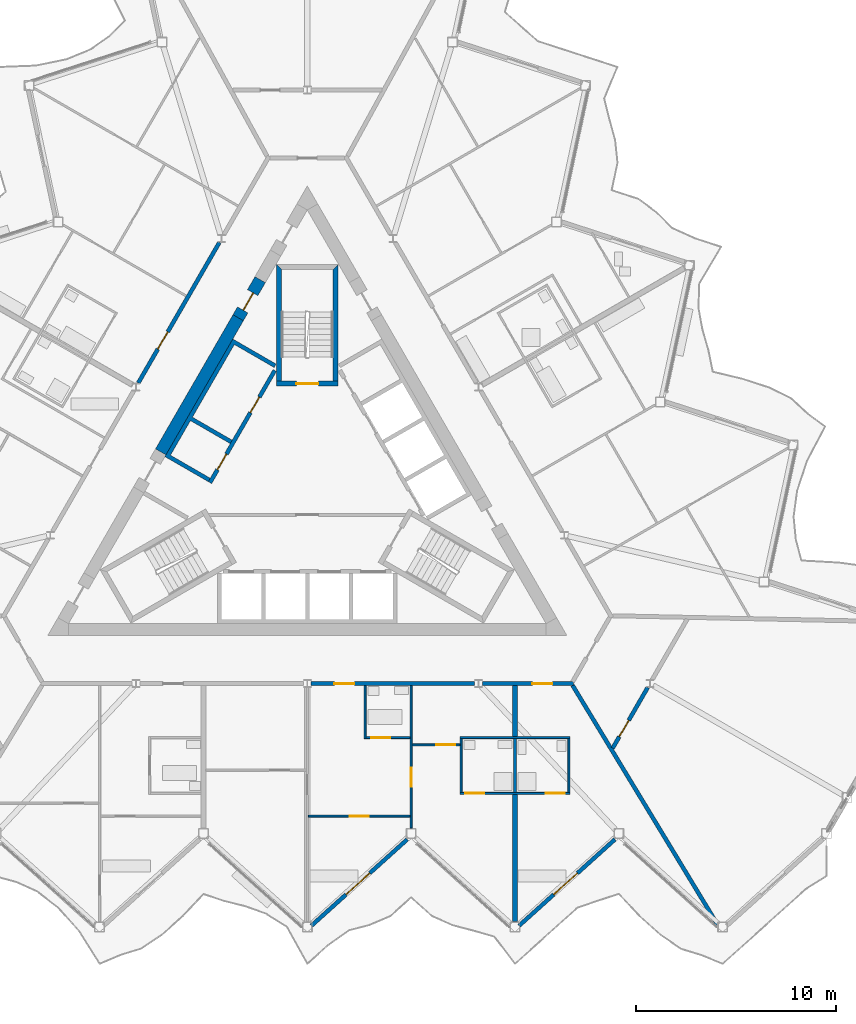
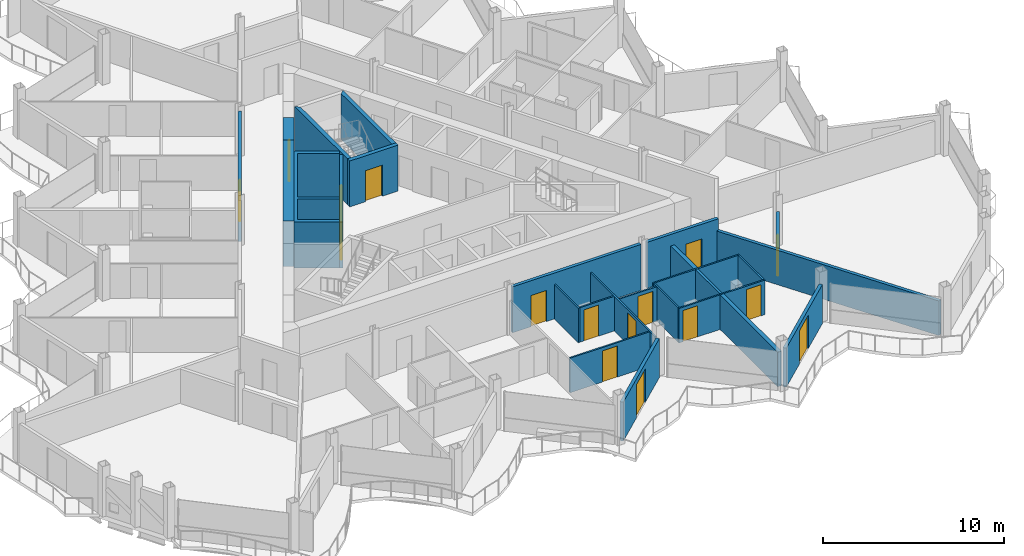
# One storey, part 14 of 25: 26 walls, 16 doors, 16 openings.
"""IFC4 building model written with IfcOpenShell, lengths in metres."""

from ifc_helpers import new_model, si_unit, direction, frame, frame_2d, origin, place, context, subcontext, project, spatial, polyline, rectangle, outline, extrude, material, layer, layer_set, type_object, element, fill, save


model = new_model("IFC4")

# Units and contexts
model_context = context("Model", 3, precision=1e-05, world=origin(), true_north=direction((0.0, 1.0)))
body_context = subcontext(model_context, "Body", "Model", "MODEL_VIEW")
ifc_project = project(units=[si_unit("LENGTHUNIT", "METRE"), si_unit("AREAUNIT", "SQUARE_METRE"), si_unit("VOLUMEUNIT", "CUBIC_METRE"), si_unit("PLANEANGLEUNIT", "RADIAN"), si_unit("MASSUNIT", "GRAM", prefix="KILO")], contexts=[model_context])

# Site, building, storey
site_placement = place(None, origin())
site = spatial("IfcSite", under=ifc_project, at=site_placement, CompositionType="ELEMENT")
building_placement = place(site_placement, origin())
building = spatial("IfcBuilding", under=site, at=building_placement, Name="Cormorant Prow Tower", CompositionType="ELEMENT")
storey_placement = place(building_placement, frame((0.0, 0.0, 395.0)))
storey = spatial("IfcBuildingStorey", under=building, at=storey_placement, Name="L90", CompositionType="ELEMENT", Elevation=395.0)

# Wall
ifc_material_1 = material(Name="Concrete 8000 psi", Category="concrete")
ifc_layer_1 = layer(ifc_material_1, 0.60009765625)
ifc_layer_set_1 = layer_set([ifc_layer_1], Name="Concrete 8000 psi")
wall_type_1 = type_object("IfcWallType", Name="Core shear wall 600", PredefinedType="SHEAR", material=ifc_layer_set_1)
wall_1_placement = place(storey_placement, frame((-3.460693359375, 8.416748046875, 0.0), z_axis=(0.0, 0.0, 1.0), x_axis=(-0.50000391502, -0.866023143435, 0.0)))
element("IfcWall", 1, at=wall_1_placement, inside=storey, type_object=wall_type_1, Name="Core wall", PredefinedType="SHEAR", context=body_context, shape_type="SweptSolid", body=[
    extrude(rectangle(XDim=7.7587890625, YDim=0.60009765625, at=frame_2d((3.87939453125, 0.0))), origin(), (0.0, 0.0, 1.0), 3.10009765625),
])

# Wall, opening, door
wall_2_placement = place(storey_placement, frame((-2.36083984375, 10.322021484375, 0.0), z_axis=(0.0, 0.0, 1.0), x_axis=(-0.499946605688, -0.86605622881, 0.0)))
wall_2 = element("IfcWall", 2, at=wall_2_placement, inside=storey, type_object=wall_type_1, Name="Core wall door panel", PredefinedType="SHEAR", context=body_context, shape_type="SweptSolid", body=[
    extrude(rectangle(XDim=2.199951171875, YDim=0.60009765625, at=frame_2d((1.10009765625, 0.0))), origin(), (0.0, 0.0, 1.0), 3.10009765625),
])
opening_1_placement = place(wall_2_placement, frame((0.75, 0.0, 0.0)))
opening_1 = element("IfcOpeningElement", 3, at=opening_1_placement, cuts=wall_2, Name="Opening L90-C18", PredefinedType="OPENING", context=body_context, shape_type="SweptSolid", body=[
    extrude(rectangle(XDim=1.0, YDim=2.10009765625, at=frame_2d((0.5, 1.050048828125))), frame((0.0, 0.31005859375, 0.0), z_axis=(0.0, -1.0, 0.0), x_axis=(1.0, 0.0, 0.0)), (0.0, 0.0, 1.0), 0.6201171875),
])
ifc_material_2 = material(Name="Painted steel", Category="steel")
door_type_1 = type_object("IfcDoorType", Name="Service door 1000x2100", OperationType="NOTDEFINED", PredefinedType="DOOR", material=ifc_material_2)
door_1_placement = place(opening_1_placement, origin())
door_1 = element("IfcDoor", 4, at=door_1_placement, inside=storey, type_object=door_type_1, Name="Core door, Mechanical riser room", OperationType="SINGLE_SWING_LEFT", OverallHeight=2.10009765625, OverallWidth=1.0, PredefinedType="DOOR", context=body_context, shape_type="SweptSolid", body=[
    extrude(rectangle(XDim=1.0, YDim=2.10009765625, at=frame_2d((0.5, 1.050048828125))), frame((0.0, 0.05517578125, 0.0), z_axis=(0.0, -1.0, 0.0), x_axis=(1.0, 0.0, 0.0)), (0.0, 0.0, 1.0), 0.050048828125),
])
fill(opening_1, door_1)

ifc_material_3 = material(Name="Gypsum board corridor wall")
ifc_layer_2 = layer(ifc_material_3, 0.199951171875)
ifc_layer_set_2 = layer_set([ifc_layer_2], Name="Gypsum board corridor wall")
wall_type_2 = type_object("IfcWallType", Name="Corridor wall 200", PredefinedType="PARTITIONING", material=ifc_layer_set_2)
wall_3_placement = place(storey_placement, frame((0.197021484375, -9.905517578125, 0.0), z_axis=(0.0, 0.0, 1.0), x_axis=(1.0, 0.0, 0.0)))
wall_3 = element("IfcWall", 5, at=wall_3_placement, inside=storey, type_object=wall_type_2, Name="Corridor wall", PredefinedType="PARTITIONING", context=body_context, shape_type="SweptSolid", body=[
    extrude(rectangle(XDim=8.1845703125, YDim=0.199951171875, at=frame_2d((4.09228515625, 0.0))), origin(), (0.0, 0.0, 1.0), 3.10009765625),
])
opening_2_placement = place(wall_3_placement, frame((1.16162109375, 0.0, 0.0)))
opening_2 = element("IfcOpeningElement", 6, at=opening_2_placement, cuts=wall_3, Name="Opening L90-F06", PredefinedType="OPENING", context=body_context, shape_type="SweptSolid", body=[
    extrude(rectangle(XDim=1.0, YDim=2.10009765625, at=frame_2d((0.5, 1.050048828125))), frame((0.0, 0.10986328125, 0.0), z_axis=(0.0, -1.0, 0.0), x_axis=(1.0, 0.0, 0.0)), (0.0, 0.0, 1.0), 0.219970703125),
])
ifc_material_4 = material(Name="Timber door leaf", Category="wood")
door_type_2 = type_object("IfcDoorType", Name="Flat or room entrance door 1000x2100", OperationType="NOTDEFINED", PredefinedType="DOOR", material=ifc_material_4)
door_2_placement = place(opening_2_placement, origin())
door_2 = element("IfcDoor", 7, at=door_2_placement, inside=storey, type_object=door_type_2, Name="Living room door", OperationType="SINGLE_SWING_RIGHT", OverallHeight=2.10009765625, OverallWidth=1.0, PredefinedType="DOOR", context=body_context, shape_type="SweptSolid", body=[
    extrude(rectangle(XDim=1.0, YDim=2.10009765625, at=frame_2d((0.5, 1.050048828125))), frame((0.0, 0.02490234375, 0.0), z_axis=(0.0, -1.0, 0.0), x_axis=(1.0, 0.0, 0.0)), (0.0, 0.0, 1.0), 0.050048828125),
])
fill(opening_2, door_2)

wall_4_placement = place(storey_placement, frame((-8.464599609375, 5.14990234375, 0.0), z_axis=(0.0, 0.0, 1.0), x_axis=(0.499992155518, 0.866029932751, 0.0)))
wall_4 = element("IfcWall", 8, at=wall_4_placement, inside=storey, type_object=wall_type_2, Name="Corridor wall", PredefinedType="PARTITIONING", context=body_context, shape_type="SweptSolid", body=[
    extrude(rectangle(XDim=8.123291015625, YDim=0.199951171875, at=frame_2d((4.0615234375, 0.0))), origin(), (0.0, 0.0, 1.0), 3.10009765625),
])
opening_3_placement = place(wall_4_placement, frame((1.9560546875, 0.0, 0.0)))
opening_3 = element("IfcOpeningElement", 9, at=opening_3_placement, cuts=wall_4, Name="Opening L90-F35", PredefinedType="OPENING", context=body_context, shape_type="SweptSolid", body=[
    extrude(rectangle(XDim=1.0, YDim=2.10009765625, at=frame_2d((0.5, 1.050048828125))), frame((0.0, 0.10986328125, 0.0), z_axis=(0.0, -1.0, 0.0), x_axis=(1.0, 0.0, 0.0)), (0.0, 0.0, 1.0), 0.219970703125),
])
door_3_placement = place(opening_3_placement, origin())
door_3 = element("IfcDoor", 10, at=door_3_placement, inside=storey, type_object=door_type_2, Name="Living room door", OperationType="SINGLE_SWING_RIGHT", OverallHeight=2.10009765625, OverallWidth=1.0, PredefinedType="DOOR", context=body_context, shape_type="SweptSolid", body=[
    extrude(rectangle(XDim=1.0, YDim=2.10009765625, at=frame_2d((0.5, 1.050048828125))), frame((0.0, 0.02490234375, 0.0), z_axis=(0.0, -1.0, 0.0), x_axis=(1.0, 0.0, 0.0)), (0.0, 0.0, 1.0), 0.050048828125),
])
fill(opening_3, door_3)

wall_5_placement = place(storey_placement, frame((8.775390625, -9.905517578125, 0.0), z_axis=(0.0, 0.0, 1.0), x_axis=(1.0, 0.0, 0.0)))
wall_5 = element("IfcWall", 11, at=wall_5_placement, inside=storey, type_object=wall_type_2, Name="Corridor wall", PredefinedType="PARTITIONING", context=body_context, shape_type="SweptSolid", body=[
    extrude(rectangle(XDim=4.555419921875, YDim=0.199951171875, at=frame_2d((2.27783203125, 0.0))), origin(), (0.0, 0.0, 1.0), 3.10009765625),
])
opening_4_placement = place(wall_5_placement, frame((2.49072265625, 0.0, 0.0)))
opening_4 = element("IfcOpeningElement", 12, at=opening_4_placement, cuts=wall_5, Name="Opening L90-F14", PredefinedType="OPENING", context=body_context, shape_type="SweptSolid", body=[
    extrude(rectangle(XDim=1.0, YDim=2.10009765625, at=frame_2d((0.5, 1.050048828125))), frame((0.0, 0.10986328125, 0.0), z_axis=(0.0, -1.0, 0.0), x_axis=(1.0, 0.0, 0.0)), (0.0, 0.0, 1.0), 0.219970703125),
])
door_4_placement = place(opening_4_placement, origin())
door_4 = element("IfcDoor", 13, at=door_4_placement, inside=storey, type_object=door_type_2, Name="Studio living, kitchen and sleeping room door", OperationType="SINGLE_SWING_LEFT", OverallHeight=2.10009765625, OverallWidth=1.0, PredefinedType="DOOR", context=body_context, shape_type="SweptSolid", body=[
    extrude(rectangle(XDim=1.0, YDim=2.10009765625, at=frame_2d((0.5, 1.050048828125))), frame((0.0, 0.02490234375, 0.0), z_axis=(0.0, -1.0, 0.0), x_axis=(1.0, 0.0, 0.0)), (0.0, 0.0, 1.0), 0.050048828125),
])
fill(opening_4, door_4)

# Wall
ifc_material_5 = material(Name="Gypsum board demising wall")
ifc_layer_3 = layer(ifc_material_5, 0.199951171875)
ifc_layer_set_3 = layer_set([ifc_layer_3], Name="Gypsum board demising wall")
wall_type_3 = type_object("IfcWallType", Name="Demising wall 200", PredefinedType="PARTITIONING", material=ifc_layer_set_3)
wall_6_placement = place(storey_placement, frame((13.28271484375, -9.9912109375, 0.0), z_axis=(0.0, 0.0, 1.0), x_axis=(0.518239121386, -0.855235764608, 0.0)))
element("IfcWall", 14, at=wall_6_placement, inside=storey, type_object=wall_type_3, Name="Demising wall", PredefinedType="PARTITIONING", context=body_context, shape_type="SweptSolid", body=[
    extrude(rectangle(XDim=14.00390625, YDim=0.199951171875, at=frame_2d((7.001953125, 0.0))), origin(), (0.0, 0.0, 1.0), 2.330078125),
])

# Wall, opening, door
wall_7_placement = place(storey_placement, frame((15.291259765625, -13.136962890625, 0.0), z_axis=(0.0, 0.0, 1.0), x_axis=(0.500005931509, 0.866021979199, 0.0)))
wall_7 = element("IfcWall", 15, at=wall_7_placement, inside=storey, type_object=wall_type_3, Name="Demising wall", PredefinedType="PARTITIONING", context=body_context, shape_type="SweptSolid", body=[
    extrude(rectangle(XDim=3.50390625, YDim=0.199951171875, at=frame_2d((1.751953125, 0.0))), origin(), (0.0, 0.0, 1.0), 2.330078125),
])
opening_5_placement = place(wall_7_placement, frame((0.66064453125, 0.0, 0.0)))
opening_5 = element("IfcOpeningElement", 16, at=opening_5_placement, cuts=wall_7, Name="Opening L90-F17", PredefinedType="OPENING", context=body_context, shape_type="SweptSolid", body=[
    extrude(rectangle(XDim=0.949951171875, YDim=2.10009765625, at=frame_2d((0.47509765625, 1.050048828125))), frame((0.0, 0.10986328125, 0.0), z_axis=(0.0, -1.0, 0.0), x_axis=(1.0, 0.0, 0.0)), (0.0, 0.0, 1.0), 0.219970703125),
])
ifc_material_6 = material(Name="Timber door leaf", Category="wood")
door_type_3 = type_object("IfcDoorType", Name="Store door 950x2100", OperationType="NOTDEFINED", PredefinedType="DOOR", material=ifc_material_6)
door_5_placement = place(opening_5_placement, origin())
door_5 = element("IfcDoor", 17, at=door_5_placement, inside=storey, type_object=door_type_3, Name="Bicycle store door", OperationType="SINGLE_SWING_LEFT", OverallHeight=2.10009765625, OverallWidth=0.949951171875, PredefinedType="DOOR", context=body_context, shape_type="SweptSolid", body=[
    extrude(rectangle(XDim=0.949951171875, YDim=2.10009765625, at=frame_2d((0.47509765625, 1.050048828125))), frame((0.0, 0.02490234375, 0.0), z_axis=(0.0, -1.0, 0.0), x_axis=(1.0, 0.0, 0.0)), (0.0, 0.0, 1.0), 0.050048828125),
])
fill(opening_5, door_5)

ifc_material_7 = material(Name="Gypsum board partition")
ifc_layer_4 = layer(ifc_material_7, 0.10009765625)
ifc_layer_set_4 = layer_set([ifc_layer_4], Name="Gypsum board partition")
wall_type_4 = type_object("IfcWallType", Name="Internal partition 100", PredefinedType="PARTITIONING", material=ifc_layer_set_4)
wall_8_placement = place(storey_placement, frame((5.199951171875, -17.145751953125, 0.0), z_axis=(0.0, 0.0, 1.0), x_axis=(0.0, 1.0, 0.0)))
wall_8 = element("IfcWall", 18, at=wall_8_placement, inside=storey, type_object=wall_type_4, Name="Internal partition", PredefinedType="PARTITIONING", context=body_context, shape_type="SweptSolid", body=[
    extrude(rectangle(XDim=7.14013671875, YDim=0.10009765625, at=frame_2d((3.570068359375, 0.0))), origin(), (0.0, 0.0, 1.0), 2.330078125),
])
opening_6_placement = place(wall_8_placement, frame((2.0791015625, 0.0, 0.0)))
opening_6 = element("IfcOpeningElement", 19, at=opening_6_placement, cuts=wall_8, Name="Opening L90-F11", PredefinedType="OPENING", context=body_context, shape_type="SweptSolid", body=[
    extrude(rectangle(XDim=0.949951171875, YDim=2.10009765625, at=frame_2d((0.47509765625, 1.050048828125))), frame((0.0, 0.06005859375, 0.0), z_axis=(0.0, -1.0, 0.0), x_axis=(1.0, 0.0, 0.0)), (0.0, 0.0, 1.0), 0.1201171875),
])
ifc_material_8 = material(Name="Timber door leaf", Category="wood")
door_type_4 = type_object("IfcDoorType", Name="Bathroom door 950x2100", OperationType="NOTDEFINED", PredefinedType="DOOR", material=ifc_material_8)
door_6_placement = place(opening_6_placement, origin())
door_6 = element("IfcDoor", 20, at=door_6_placement, inside=storey, type_object=door_type_4, Name="Living room door", OperationType="SINGLE_SWING_RIGHT", OverallHeight=2.10009765625, OverallWidth=0.949951171875, PredefinedType="DOOR", context=body_context, shape_type="SweptSolid", body=[
    extrude(rectangle(XDim=0.949951171875, YDim=2.10009765625, at=frame_2d((0.47509765625, 1.050048828125))), frame((0.0, 0.02490234375, 0.0), z_axis=(0.0, -1.0, 0.0), x_axis=(1.0, 0.0, 0.0)), (0.0, 0.0, 1.0), 0.050048828125),
])
fill(opening_6, door_6)

# Wall
wall_9_placement = place(storey_placement, frame((7.64990234375, -12.605712890625, 0.0), z_axis=(0.0, 0.0, 1.0), x_axis=(1.0, 0.0, 0.0)))
element("IfcWall", 21, at=wall_9_placement, inside=storey, type_object=wall_type_4, Name="Internal partition", PredefinedType="PARTITIONING", context=body_context, shape_type="SweptSolid", body=[
    extrude(rectangle(XDim=5.5, YDim=0.10009765625, at=frame_2d((2.75, 0.0))), origin(), (0.0, 0.0, 1.0), 2.330078125),
])

# Wall, openings, doors
wall_10_placement = place(storey_placement, frame((7.64990234375, -15.405517578125, 0.0), z_axis=(0.0, 0.0, 1.0), x_axis=(1.0, 0.0, 0.0)))
wall_10 = element("IfcWall", 22, at=wall_10_placement, inside=storey, type_object=wall_type_4, Name="Internal partition", PredefinedType="PARTITIONING", context=body_context, shape_type="SweptSolid", body=[
    extrude(rectangle(XDim=5.5, YDim=0.10009765625, at=frame_2d((2.75, 0.0))), origin(), (0.0, 0.0, 1.0), 2.330078125),
])
opening_7_placement = place(wall_10_placement, frame((0.25, 0.0, 0.0)))
opening_7 = element("IfcOpeningElement", 23, at=opening_7_placement, cuts=wall_10, Name="Opening L90-F13", PredefinedType="OPENING", context=body_context, shape_type="SweptSolid", body=[
    extrude(rectangle(XDim=0.949951171875, YDim=2.10009765625, at=frame_2d((0.47509765625, 1.050048828125))), frame((0.0, 0.06005859375, 0.0), z_axis=(0.0, -1.0, 0.0), x_axis=(1.0, 0.0, 0.0)), (0.0, 0.0, 1.0), 0.1201171875),
])
opening_8_placement = place(wall_10_placement, frame((4.300048828125, 0.0, 0.0)))
opening_8 = element("IfcOpeningElement", 24, at=opening_8_placement, cuts=wall_10, Name="Opening L90-F15", PredefinedType="OPENING", context=body_context, shape_type="SweptSolid", body=[
    extrude(rectangle(XDim=0.949951171875, YDim=2.10009765625, at=frame_2d((0.47509765625, 1.050048828125))), frame((0.0, 0.06005859375, 0.0), z_axis=(0.0, -1.0, 0.0), x_axis=(1.0, 0.0, 0.0)), (0.0, 0.0, 1.0), 0.1201171875),
])
door_7_placement = place(opening_7_placement, origin())
door_7 = element("IfcDoor", 25, at=door_7_placement, inside=storey, type_object=door_type_4, Name="Bedroom door", OperationType="SINGLE_SWING_LEFT", OverallHeight=2.10009765625, OverallWidth=0.949951171875, PredefinedType="DOOR", context=body_context, shape_type="SweptSolid", body=[
    extrude(rectangle(XDim=0.949951171875, YDim=2.10009765625, at=frame_2d((0.47509765625, 1.050048828125))), frame((0.0, 0.02490234375, 0.0), z_axis=(0.0, -1.0, 0.0), x_axis=(1.0, 0.0, 0.0)), (0.0, 0.0, 1.0), 0.050048828125),
])
fill(opening_7, door_7)
door_8_placement = place(opening_8_placement, origin())
door_8 = element("IfcDoor", 26, at=door_8_placement, inside=storey, type_object=door_type_4, Name="Studio living, kitchen and sleeping room door", OperationType="SINGLE_SWING_RIGHT", OverallHeight=2.10009765625, OverallWidth=0.949951171875, PredefinedType="DOOR", context=body_context, shape_type="SweptSolid", body=[
    extrude(rectangle(XDim=0.949951171875, YDim=2.10009765625, at=frame_2d((0.47509765625, 1.050048828125))), frame((0.0, 0.02490234375, 0.0), z_axis=(0.0, -1.0, 0.0), x_axis=(1.0, 0.0, 0.0)), (0.0, 0.0, 1.0), 0.050048828125),
])
fill(opening_8, door_8)

# Wall, opening, door
wall_11_placement = place(storey_placement, frame((0.050048828125, -16.544189453125, 0.0), z_axis=(0.0, 0.0, 1.0), x_axis=(1.0, 0.0, 0.0)))
wall_11 = element("IfcWall", 27, at=wall_11_placement, inside=storey, type_object=wall_type_4, Name="Internal partition", PredefinedType="PARTITIONING", context=body_context, shape_type="SweptSolid", body=[
    extrude(rectangle(XDim=5.099853515625, YDim=0.10009765625, at=frame_2d((2.5498046875, 0.0))), origin(), (0.0, 0.0, 1.0), 2.330078125),
])
opening_9_placement = place(wall_11_placement, frame((2.074951171875, 0.0, 0.0)))
opening_9 = element("IfcOpeningElement", 28, at=opening_9_placement, cuts=wall_11, Name="Opening L90-F08", PredefinedType="OPENING", context=body_context, shape_type="SweptSolid", body=[
    extrude(rectangle(XDim=0.949951171875, YDim=2.10009765625, at=frame_2d((0.47509765625, 1.050048828125))), frame((0.0, 0.06005859375, 0.0), z_axis=(0.0, -1.0, 0.0), x_axis=(1.0, 0.0, 0.0)), (0.0, 0.0, 1.0), 0.1201171875),
])
door_9_placement = place(opening_9_placement, origin())
door_9 = element("IfcDoor", 29, at=door_9_placement, inside=storey, type_object=door_type_4, Name="Living room door", OperationType="SINGLE_SWING_RIGHT", OverallHeight=2.10009765625, OverallWidth=0.949951171875, PredefinedType="DOOR", context=body_context, shape_type="SweptSolid", body=[
    extrude(rectangle(XDim=0.949951171875, YDim=2.10009765625, at=frame_2d((0.47509765625, 1.050048828125))), frame((0.0, 0.02490234375, 0.0), z_axis=(0.0, -1.0, 0.0), x_axis=(1.0, 0.0, 0.0)), (0.0, 0.0, 1.0), 0.050048828125),
])
fill(opening_9, door_9)

# Walls
for number, where, z_axis, x_axis, name in (
    (30, (7.699951171875, -15.355712890625, 0.0), (0.0, 0.0, 1.0), (0.0, 1.0, 0.0), "Internal partition"),
    (31, (13.10009765625, -15.355712890625, 0.0), (0.0, 0.0, 1.0), (0.0, 1.0, 0.0), "Internal partition"),
):
    element("IfcWall", number, at=place(storey_placement, frame(where, z_axis=z_axis, x_axis=x_axis)), inside=storey, type_object=wall_type_4, Name=name, PredefinedType="PARTITIONING", context=body_context, shape_type="SweptSolid", body=[
        extrude(rectangle(XDim=2.7001953125, YDim=0.10009765625, at=frame_2d((1.35009765625, 0.0))), origin(), (0.0, 0.0, 1.0), 2.330078125),
    ])
wall_12_placement = place(storey_placement, frame((2.89990234375, -12.655517578125, 0.0), z_axis=(0.0, 0.0, 1.0), x_axis=(0.0, 1.0, 0.0)))
element("IfcWall", 32, at=wall_12_placement, inside=storey, type_object=wall_type_4, Name="Internal partition", PredefinedType="PARTITIONING", context=body_context, shape_type="SweptSolid", body=[
    extrude(rectangle(XDim=2.64990234375, YDim=0.10009765625, at=frame_2d((1.324951171875, 0.0))), origin(), (0.0, 0.0, 1.0), 2.330078125),
])

# Wall, opening, door
wall_13_placement = place(storey_placement, frame((5.25, -12.97412109375, 0.0), z_axis=(0.0, 0.0, 1.0), x_axis=(1.0, 0.0, 0.0)))
wall_13 = element("IfcWall", 33, at=wall_13_placement, inside=storey, type_object=wall_type_4, Name="Internal partition", PredefinedType="PARTITIONING", context=body_context, shape_type="SweptSolid", body=[
    extrude(rectangle(XDim=2.39990234375, YDim=0.10009765625, at=frame_2d((1.199951171875, 0.0))), origin(), (0.0, 0.0, 1.0), 2.330078125),
])
opening_10_placement = place(wall_13_placement, frame((1.199951171875, 0.0, 0.0)))
opening_10 = element("IfcOpeningElement", 34, at=opening_10_placement, cuts=wall_13, Name="Opening L90-F12", PredefinedType="OPENING", context=body_context, shape_type="SweptSolid", body=[
    extrude(rectangle(XDim=0.949951171875, YDim=2.10009765625, at=frame_2d((0.47509765625, 1.050048828125))), frame((0.0, 0.06005859375, 0.0), z_axis=(0.0, -1.0, 0.0), x_axis=(1.0, 0.0, 0.0)), (0.0, 0.0, 1.0), 0.1201171875),
])
door_10_placement = place(opening_10_placement, origin())
door_10 = element("IfcDoor", 35, at=door_10_placement, inside=storey, type_object=door_type_4, Name="Bedroom door", OperationType="SINGLE_SWING_RIGHT", OverallHeight=2.10009765625, OverallWidth=0.949951171875, PredefinedType="DOOR", context=body_context, shape_type="SweptSolid", body=[
    extrude(rectangle(XDim=0.949951171875, YDim=2.10009765625, at=frame_2d((0.47509765625, 1.050048828125))), frame((0.0, 0.02490234375, 0.0), z_axis=(0.0, -1.0, 0.0), x_axis=(1.0, 0.0, 0.0)), (0.0, 0.0, 1.0), 0.050048828125),
])
fill(opening_10, door_10)

wall_14_placement = place(storey_placement, frame((2.949951171875, -12.605712890625, 0.0), z_axis=(0.0, 0.0, 1.0), x_axis=(1.0, 0.0, 0.0)))
wall_14 = element("IfcWall", 36, at=wall_14_placement, inside=storey, type_object=wall_type_4, Name="Internal partition", PredefinedType="PARTITIONING", context=body_context, shape_type="SweptSolid", body=[
    extrude(rectangle(XDim=2.199951171875, YDim=0.10009765625, at=frame_2d((1.10009765625, 0.0))), origin(), (0.0, 0.0, 1.0), 2.330078125),
])
opening_11_placement = place(wall_14_placement, frame((0.25, 0.0, 0.0)))
opening_11 = element("IfcOpeningElement", 37, at=opening_11_placement, cuts=wall_14, Name="Opening L90-F07", PredefinedType="OPENING", context=body_context, shape_type="SweptSolid", body=[
    extrude(rectangle(XDim=0.949951171875, YDim=2.10009765625, at=frame_2d((0.47509765625, 1.050048828125))), frame((0.0, 0.06005859375, 0.0), z_axis=(0.0, -1.0, 0.0), x_axis=(1.0, 0.0, 0.0)), (0.0, 0.0, 1.0), 0.1201171875),
])
door_11_placement = place(opening_11_placement, origin())
door_11 = element("IfcDoor", 38, at=door_11_placement, inside=storey, type_object=door_type_4, Name="Living room door", OperationType="SINGLE_SWING_LEFT", OverallHeight=2.10009765625, OverallWidth=0.949951171875, PredefinedType="DOOR", context=body_context, shape_type="SweptSolid", body=[
    extrude(rectangle(XDim=0.949951171875, YDim=2.10009765625, at=frame_2d((0.47509765625, 1.050048828125))), frame((0.0, 0.02490234375, 0.0), z_axis=(0.0, -1.0, 0.0), x_axis=(1.0, 0.0, 0.0)), (0.0, 0.0, 1.0), 0.050048828125),
])
fill(opening_11, door_11)

# Wall, openings, doors
ifc_material_9 = material(Name="Concrete 5000 psi", Category="concrete")
ifc_layer_5 = layer(ifc_material_9, 0.199951171875)
ifc_layer_set_5 = layer_set([ifc_layer_5], Name="Concrete 5000 psi")
wall_type_5 = type_object("IfcWallType", Name="Lift lobby wall 200", PredefinedType="SOLIDWALL", material=ifc_layer_set_5)
wall_15_placement = place(storey_placement, frame((-1.630615234375, 5.775634765625, 0.0), z_axis=(0.0, 0.0, 1.0), x_axis=(-0.499992876559, -0.866029516466, 0.0)))
wall_15 = element("IfcWall", 39, at=wall_15_placement, inside=storey, type_object=wall_type_5, Name="Lift lobby wall, WNW block", PredefinedType="SOLIDWALL", context=body_context, shape_type="SweptSolid", body=[
    extrude(rectangle(XDim=6.486328125, YDim=0.199951171875, at=frame_2d((3.2431640625, 0.0))), origin(), (0.0, 0.0, 1.0), 3.10009765625),
])
opening_12_placement = place(wall_15_placement, frame((1.53662109375, 0.0, 0.0)))
opening_12 = element("IfcOpeningElement", 40, at=opening_12_placement, cuts=wall_15, Name="Opening L90-C09", PredefinedType="OPENING", context=body_context, shape_type="SweptSolid", body=[
    extrude(rectangle(XDim=0.89990234375, YDim=2.10009765625, at=frame_2d((0.449951171875, 1.050048828125))), frame((0.0, 0.10986328125, 0.0), z_axis=(0.0, -1.0, 0.0), x_axis=(1.0, 0.0, 0.0)), (0.0, 0.0, 1.0), 0.219970703125),
])
opening_13_placement = place(wall_15_placement, frame((4.836669921875, 0.0, 0.0)))
opening_13 = element("IfcOpeningElement", 41, at=opening_13_placement, cuts=wall_15, Name="Opening L90-C10", PredefinedType="OPENING", context=body_context, shape_type="SweptSolid", body=[
    extrude(rectangle(XDim=0.89990234375, YDim=2.10009765625, at=frame_2d((0.449951171875, 1.050048828125))), frame((0.0, 0.10986328125, 0.0), z_axis=(0.0, -1.0, 0.0), x_axis=(1.0, 0.0, 0.0)), (0.0, 0.0, 1.0), 0.219970703125),
])
ifc_material_10 = material(Name="Painted steel", Category="steel")
door_type_5 = type_object("IfcDoorType", Name="Service door 900x2100", OperationType="NOTDEFINED", PredefinedType="DOOR", material=ifc_material_10)
door_12_placement = place(opening_12_placement, origin())
door_12 = element("IfcDoor", 42, at=door_12_placement, inside=storey, type_object=door_type_5, Name="Service door, Telecom room", OperationType="SINGLE_SWING_LEFT", OverallHeight=2.10009765625, OverallWidth=0.89990234375, PredefinedType="DOOR", context=body_context, shape_type="SweptSolid", body=[
    extrude(rectangle(XDim=0.89990234375, YDim=2.10009765625, at=frame_2d((0.449951171875, 1.050048828125))), frame((0.0, 0.02490234375, 0.0), z_axis=(0.0, -1.0, 0.0), x_axis=(1.0, 0.0, 0.0)), (0.0, 0.0, 1.0), 0.050048828125),
])
fill(opening_12, door_12)
door_13_placement = place(opening_13_placement, origin())
door_13 = element("IfcDoor", 43, at=door_13_placement, inside=storey, type_object=door_type_5, Name="Service door, Electrical room", OperationType="SINGLE_SWING_RIGHT", OverallHeight=2.10009765625, OverallWidth=0.89990234375, PredefinedType="DOOR", context=body_context, shape_type="SweptSolid", body=[
    extrude(rectangle(XDim=0.89990234375, YDim=2.10009765625, at=frame_2d((0.449951171875, 1.050048828125))), frame((0.0, 0.02490234375, 0.0), z_axis=(0.0, -1.0, 0.0), x_axis=(1.0, 0.0, 0.0)), (0.0, 0.0, 1.0), 0.050048828125),
])
fill(opening_13, door_13)

# Walls
ifc_material_11 = material(Name="Concrete 8000 psi", Category="concrete")
ifc_layer_6 = layer(ifc_material_11, 0.199951171875)
ifc_layer_set_6 = layer_set([ifc_layer_6], Name="Concrete 8000 psi")
wall_type_6 = type_object("IfcWallType", Name="Lift shaft wall 200", PredefinedType="SHEAR", material=ifc_layer_set_6)
wall_16_placement = place(storey_placement, origin())
element("IfcWall", 44, at=wall_16_placement, inside=storey, type_object=wall_type_6, Name="Lift shaft walls, WNW block", PredefinedType="SHEAR", context=body_context, shape_type="SweptSolid", body=[
    extrude(outline(polyline([(-4.96044921875, 0.2080078125), (-7.130859375, 1.461181640625), (-3.730712890625, 7.35009765625), (-1.560546875, 6.09716796875), (-1.660400390625, 5.923828125), (-3.65234375, 7.073974609375), (-5.75244140625, 3.4365234375), (-3.760498046875, 2.28662109375), (-3.860595703125, 2.11328125), (-5.852294921875, 3.263427734375), (-6.852294921875, 1.53125), (-4.860595703125, 0.38134765625), (-4.96044921875, 0.2080078125)])), origin(), (0.0, 0.0, 1.0), 3.10009765625),
])
ifc_material_12 = material(Name="Concrete 8000 psi", Category="concrete")
ifc_layer_7 = layer(ifc_material_12, 0.25)
ifc_layer_set_7 = layer_set([ifc_layer_7], Name="Concrete 8000 psi")
wall_type_7 = type_object("IfcWallType", Name="Stair wall 250", PredefinedType="SHEAR", material=ifc_layer_set_7)
wall_17_placement = place(storey_placement, origin())
element("IfcWall", 45, at=wall_17_placement, inside=storey, type_object=wall_type_7, Name="Stair ST3 enclosure wall (flank)", PredefinedType="SHEAR", context=body_context, shape_type="SweptSolid", body=[
    extrude(outline(polyline([(1.5439453125, 5.23681640625), (1.5439453125, 11.0869140625), (1.2939453125, 10.8369140625), (1.2939453125, 5.23681640625), (1.5439453125, 5.23681640625)])), origin(), (0.0, 0.0, 1.0), 3.10009765625),
])
wall_18_placement = place(storey_placement, origin())
element("IfcWall", 46, at=wall_18_placement, inside=storey, type_object=wall_type_7, Name="Stair ST3 enclosure wall (flank)", PredefinedType="SHEAR", context=body_context, shape_type="SweptSolid", body=[
    extrude(outline(polyline([(-1.2939453125, 10.8369140625), (-1.5439453125, 11.0869140625), (-1.5439453125, 5.23681640625), (-1.2939453125, 5.23681640625), (-1.2939453125, 10.8369140625)])), origin(), (0.0, 0.0, 1.0), 3.10009765625),
])

# Wall, opening, door
wall_19_placement = place(storey_placement, frame((1.5439453125, 5.11181640625, 0.0), z_axis=(0.0, 0.0, 1.0), x_axis=(-1.0, 0.0, 0.0)))
wall_19 = element("IfcWall", 47, at=wall_19_placement, inside=storey, type_object=wall_type_7, Name="Stair ST3 door wall", PredefinedType="SHEAR", context=body_context, shape_type="SweptSolid", body=[
    extrude(rectangle(XDim=3.087890625, YDim=0.25, at=frame_2d((1.5439453125, 0.0))), origin(), (0.0, 0.0, 1.0), 3.10009765625),
])
opening_14_placement = place(wall_19_placement, frame((0.993896484375, 0.0, 0.0)))
opening_14 = element("IfcOpeningElement", 48, at=opening_14_placement, cuts=wall_19, Name="Opening L90-C14", PredefinedType="OPENING", context=body_context, shape_type="SweptSolid", body=[
    extrude(rectangle(XDim=1.10009765625, YDim=2.10009765625, at=frame_2d((0.550048828125, 1.050048828125))), frame((0.0, 0.135009765625, 0.0), z_axis=(0.0, -1.0, 0.0), x_axis=(1.0, 0.0, 0.0)), (0.0, 0.0, 1.0), 0.27001953125),
])
ifc_material_13 = material(Name="Painted steel", Category="steel")
door_type_6 = type_object("IfcDoorType", Name="Stair door 1100x2100", OperationType="NOTDEFINED", PredefinedType="DOOR", material=ifc_material_13)
door_14_placement = place(opening_14_placement, origin())
door_14 = element("IfcDoor", 49, at=door_14_placement, inside=storey, type_object=door_type_6, Name="Stair ST3 door", OperationType="SINGLE_SWING_LEFT", OverallHeight=2.10009765625, OverallWidth=1.10009765625, PredefinedType="DOOR", context=body_context, shape_type="SweptSolid", body=[
    extrude(rectangle(XDim=1.10009765625, YDim=2.10009765625, at=frame_2d((0.550048828125, 1.050048828125))), frame((0.0, 0.02490234375, 0.0), z_axis=(0.0, -1.0, 0.0), x_axis=(1.0, 0.0, 0.0)), (0.0, 0.0, 1.0), 0.050048828125),
])
fill(opening_14, door_14)

# Walls
ifc_material_14 = material(Name="Acoustic gypsum party wall")
ifc_layer_8 = layer(ifc_material_14, 0.25)
ifc_layer_set_8 = layer_set([ifc_layer_8], Name="Acoustic gypsum party wall")
wall_type_8 = type_object("IfcWallType", Name="Suite party wall 250", PredefinedType="PARTITIONING", material=ifc_layer_set_8)
wall_20_placement = place(storey_placement, frame((10.39990234375, -21.827880859375, 0.0), z_axis=(0.0, 0.0, 1.0), x_axis=(0.0, 1.0, 0.0)))
element("IfcWall", 50, at=wall_20_placement, inside=storey, type_object=wall_type_8, Name="Suite party wall", PredefinedType="PARTITIONING", context=body_context, shape_type="SweptSolid", body=[
    extrude(rectangle(XDim=6.372314453125, YDim=0.25, at=frame_2d((3.18603515625, 0.0))), origin(), (0.0, 0.0, 1.0), 2.330078125),
])
wall_21_placement = place(storey_placement, frame((10.39990234375, -12.5556640625, 0.0), z_axis=(0.0, 0.0, 1.0), x_axis=(0.0, 1.0, 0.0)))
element("IfcWall", 51, at=wall_21_placement, inside=storey, type_object=wall_type_8, Name="Suite party wall", PredefinedType="PARTITIONING", context=body_context, shape_type="SweptSolid", body=[
    extrude(rectangle(XDim=2.550048828125, YDim=0.25, at=frame_2d((1.27490234375, 0.0))), origin(), (0.0, 0.0, 1.0), 2.330078125),
])

# Wall, opening, door
ifc_material_15 = material(Name="Terracotta", Category="masonry")
ifc_layer_9 = layer(ifc_material_15, 0.199951171875)
ifc_layer_set_9 = layer_set([ifc_layer_9], Name="Terracotta")
wall_type_9 = type_object("IfcWallType", Name="Terracotta jamb wall 200", PredefinedType="SOLIDWALL", material=ifc_layer_set_9)
wall_22_placement = place(storey_placement, frame((0.205078125, -22.027587890625, 0.0), z_axis=(0.0, 0.0, 1.0), x_axis=(0.743136196971, 0.669140189162, 0.0)))
wall_22 = element("IfcWall", 52, at=wall_22_placement, inside=storey, type_object=wall_type_9, Name="Terracotta jamb wall S05", PredefinedType="SOLIDWALL", context=body_context, shape_type="SweptSolid", body=[
    extrude(rectangle(XDim=6.456787109375, YDim=0.199951171875, at=frame_2d((3.228515625, 0.0))), origin(), (0.0, 0.0, 1.0), 2.6337890625),
])
opening_15_placement = place(wall_22_placement, frame((2.332763671875, 0.0, 0.0)))
opening_15 = element("IfcOpeningElement", 53, at=opening_15_placement, cuts=wall_22, Name="Opening ED90.03", PredefinedType="OPENING", context=body_context, shape_type="SweptSolid", body=[
    extrude(rectangle(XDim=1.60009765625, YDim=2.25, at=frame_2d((0.800048828125, 1.125))), frame((0.0, 0.10986328125, 0.0), z_axis=(0.0, -1.0, 0.0), x_axis=(1.0, 0.0, 0.0)), (0.0, 0.0, 1.0), 0.219970703125),
])
ifc_material_16 = material(Name="Aluminium 6063-T6", Category="aluminium")
door_type_7 = type_object("IfcDoorType", Name="Balcony door 1600x2250", OperationType="DOUBLE_DOOR_SINGLE_SWING", PredefinedType="DOOR", material=ifc_material_16)
door_15_placement = place(opening_15_placement, origin())
door_15 = element("IfcDoor", 54, at=door_15_placement, inside=storey, type_object=door_type_7, Name="Balcony door S05 ED90.03", OperationType="DOUBLE_DOOR_SINGLE_SWING", OverallHeight=2.25, OverallWidth=1.60009765625, PredefinedType="DOOR", context=body_context, shape_type="SweptSolid", body=[
    extrude(rectangle(XDim=1.60009765625, YDim=2.25, at=frame_2d((0.800048828125, 1.125))), frame((0.0, 0.02490234375, 0.0), z_axis=(0.0, -1.0, 0.0), x_axis=(1.0, 0.0, 0.0)), (0.0, 0.0, 1.0), 0.050048828125),
])
fill(opening_15, door_15)

wall_23_placement = place(storey_placement, frame((10.60498046875, -22.027587890625, 0.0), z_axis=(0.0, 0.0, 1.0), x_axis=(0.743153126052, 0.669121387522, 0.0)))
wall_23 = element("IfcWall", 55, at=wall_23_placement, inside=storey, type_object=wall_type_9, Name="Terracotta jamb wall S07", PredefinedType="SOLIDWALL", context=body_context, shape_type="SweptSolid", body=[
    extrude(rectangle(XDim=6.45703125, YDim=0.199951171875, at=frame_2d((3.228515625, 0.0))), origin(), (0.0, 0.0, 1.0), 2.6337890625),
])
opening_16_placement = place(wall_23_placement, frame((2.332763671875, 0.0, 0.0)))
opening_16 = element("IfcOpeningElement", 56, at=opening_16_placement, cuts=wall_23, Name="Opening ED90.04", PredefinedType="OPENING", context=body_context, shape_type="SweptSolid", body=[
    extrude(rectangle(XDim=1.60009765625, YDim=2.25, at=frame_2d((0.800048828125, 1.125))), frame((0.0, 0.10986328125, 0.0), z_axis=(0.0, -1.0, 0.0), x_axis=(1.0, 0.0, 0.0)), (0.0, 0.0, 1.0), 0.219970703125),
])
door_16_placement = place(opening_16_placement, origin())
door_16 = element("IfcDoor", 57, at=door_16_placement, inside=storey, type_object=door_type_7, Name="Balcony door S07 ED90.04", OperationType="DOUBLE_DOOR_SINGLE_SWING", OverallHeight=2.25, OverallWidth=1.60009765625, PredefinedType="DOOR", context=body_context, shape_type="SweptSolid", body=[
    extrude(rectangle(XDim=1.60009765625, YDim=2.25, at=frame_2d((0.800048828125, 1.125))), frame((0.0, 0.02490234375, 0.0), z_axis=(0.0, -1.0, 0.0), x_axis=(1.0, 0.0, 0.0)), (0.0, 0.0, 1.0), 0.050048828125),
])
fill(opening_16, door_16)

# Wall
ifc_material_17 = material(Name="Plasterboard wet wall with pipe chase")
ifc_layer_10 = layer(ifc_material_17, 0.14990234375)
ifc_layer_set_10 = layer_set([ifc_layer_10], Name="Plasterboard wet wall with pipe chase")
wall_type_10 = type_object("IfcWallType", Name="Wet wall 150", PredefinedType="PLUMBINGWALL", material=ifc_layer_set_10)
wall_24_placement = place(storey_placement, frame((10.39990234375, -15.355712890625, 0.0), z_axis=(0.0, 0.0, 1.0), x_axis=(0.0, 1.0, 0.0)))
element("IfcWall", 58, at=wall_24_placement, inside=storey, type_object=wall_type_10, Name="Wet wall", PredefinedType="PLUMBINGWALL", context=body_context, shape_type="SweptSolid", body=[
    extrude(rectangle(XDim=2.7001953125, YDim=0.14990234375, at=frame_2d((1.35009765625, 0.0))), origin(), (0.0, 0.0, 1.0), 2.330078125),
])

save(model, "model.ifc")
